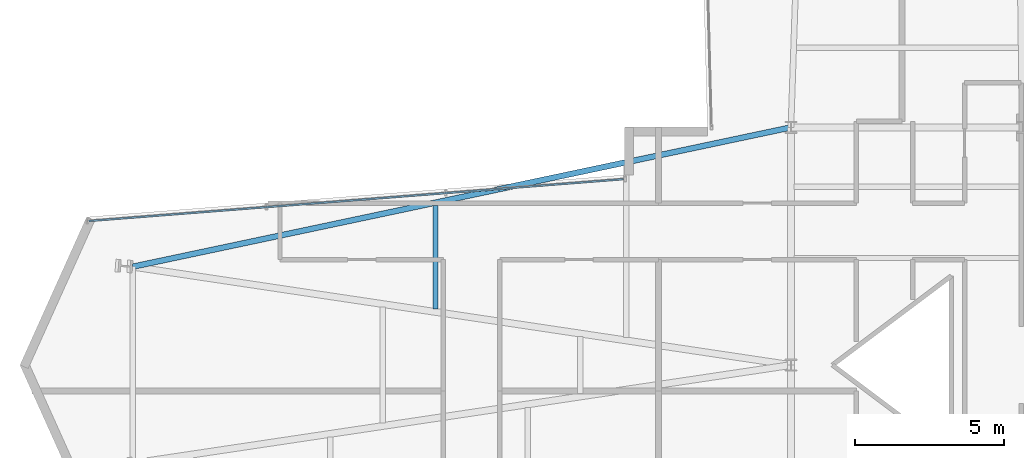
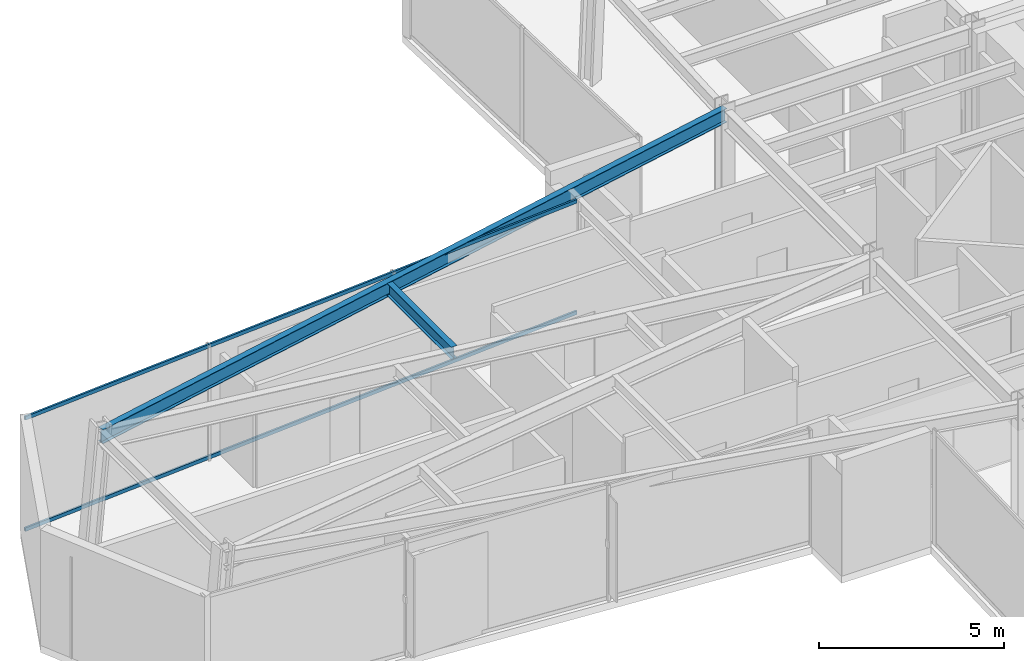
# One storey, part 10 of 31: 2 beams, 2 members, 1 element without a shape of its own.
"""IFC4 building model written with IfcOpenShell, lengths in metres."""

import ifcopenshell
import ifcopenshell.guid

model = None  # the IFC model being written
_history = None  # IfcOwnerHistory: only IFC2X3 demands one
_inside = {}  # id of a spatial element -> (the spatial element, [elements in it])
_under = {}  # id of a project, library or spatial element -> (it, [spatial elements below it])
_declared = {}  # id of a project -> (the project, [libraries it declares])
_typed = {}  # id of a type object -> (the type object, [elements of that type])
_made_of = {}  # id of a material, layer set ... -> (it, [elements and type objects made of it])


def new_model(schema):
    """Start an empty IFC model of exactly this schema.

    Asked for "IFC4X3", IfcOpenShell would pick the latest addendum, in which some entities
    have other attributes; the version numbers below select the first issue.
    IFC2X3 requires an IfcOwnerHistory on every rooted entity: one is made here for all.
    """
    global model, _history
    if schema == "IFC4X3":
        model = ifcopenshell.file(schema_version=(4, 3, 0, 0))
    else:
        model = ifcopenshell.file(schema=schema)
    _inside.clear()
    _under.clear()
    _declared.clear()
    _typed.clear()
    _made_of.clear()
    _history = None
    if model.schema == "IFC2X3":
        org = make("IfcOrganization", Name="unknown")
        user = make(
            "IfcPersonAndOrganization",
            ThePerson=make("IfcPerson", FamilyName="unknown"),
            TheOrganization=org,
        )
        app = make(
            "IfcApplication",
            ApplicationDeveloper=org,
            Version="unknown",
            ApplicationFullName="unknown",
            ApplicationIdentifier="unknown",
        )
        _history = make(
            "IfcOwnerHistory",
            OwningUser=user,
            OwningApplication=app,
            ChangeAction="ADDED",
            CreationDate=0,
        )
    return model


def make(cls, **values):
    """One entity of the class cls with the attributes given. An attribute that is None is left unset."""
    return model.create_entity(
        cls, **{name: value for name, value in values.items() if value is not None}
    )


def rooted(cls, **values):
    """An entity with a GlobalId (a new one), such as an element, a storey or a relation."""
    return make(cls, GlobalId=ifcopenshell.guid.new(), OwnerHistory=_history, **values)


def si_unit(unit_type, name, prefix=None):
    """IfcSIUnit, for example si_unit("LENGTHUNIT", "METRE", prefix="MILLI")."""
    return make("IfcSIUnit", UnitType=unit_type, Prefix=prefix, Name=name)


def assignment(units):
    """IfcUnitAssignment: the units of a project."""
    return None if units is None else make("IfcUnitAssignment", Units=units)


def point(xyz):
    """IfcCartesianPoint."""
    return None if xyz is None else make("IfcCartesianPoint", Coordinates=xyz)


def direction(xyz):
    """IfcDirection."""
    return None if xyz is None else make("IfcDirection", DirectionRatios=xyz)


def frame(location, z_axis=None, x_axis=None):
    """IfcAxis2Placement3D, a coordinate frame: its origin and axes. An axis left out is left unset."""
    return make(
        "IfcAxis2Placement3D",
        Location=point(location),
        Axis=direction(z_axis),
        RefDirection=direction(x_axis),
    )


def frame_2d(location, x_axis=None):
    """IfcAxis2Placement2D, a coordinate frame in the plane: its origin and x axis."""
    return make(
        "IfcAxis2Placement2D", Location=point(location), RefDirection=direction(x_axis)
    )


def origin():
    """The frame at (0, 0, 0) with its axes left unset."""
    return frame((0.0, 0.0, 0.0))


def origin_2d():
    """The frame at (0, 0) in the plane with its x axis left unset."""
    return frame_2d((0.0, 0.0))


def place(relative_to, where):
    """IfcLocalPlacement: puts the frame where relative to a parent placement (None: the world)."""
    return make(
        "IfcLocalPlacement", PlacementRelTo=relative_to, RelativePlacement=where
    )


def context(
    kind, dimensions, precision=None, world=None, true_north=None, identifier=None
):
    """IfcGeometricRepresentationContext, for example the 3D "Model" context."""
    return make(
        "IfcGeometricRepresentationContext",
        ContextIdentifier=identifier,
        ContextType=kind,
        CoordinateSpaceDimension=dimensions,
        Precision=precision,
        WorldCoordinateSystem=world,
        TrueNorth=true_north,
    )


def subcontext(parent, identifier, kind, view, scale=None):
    """IfcGeometricRepresentationSubContext, for example "Body" below "Model"."""
    return make(
        "IfcGeometricRepresentationSubContext",
        ContextIdentifier=identifier,
        ContextType=kind,
        ParentContext=parent,
        TargetScale=scale,
        TargetView=view,
    )


def project(units=None, contexts=None):
    """IfcProject with its units and contexts."""
    return rooted(
        "IfcProject",
        Name="project",
        RepresentationContexts=contexts,
        UnitsInContext=assignment(units),
    )


def spatial(cls, under=None, at=None, **own):
    """A site, building, storey or space (cls), placed at a placement, below another one or the project."""
    s = rooted(cls, ObjectPlacement=at, **own)
    if under is not None:
        _under.setdefault(under.id(), (under, []))[1].append(s)
    return s


def profile(cls, at=None, kind="AREA", **sizes):
    """A parametric profile (cls). Its sizes go by their IFC names, for example OverallWidth=200.0."""
    return make(cls, ProfileType=kind, Position=at, **sizes)


def hollow_rectangle(**sizes):
    """IfcRectangleHollowProfileDef."""
    return profile("IfcRectangleHollowProfileDef", **sizes)


def i_section(**sizes):
    """IfcIShapeProfileDef."""
    return profile("IfcIShapeProfileDef", **sizes)


def extrude(swept, where, along, depth):
    """IfcExtrudedAreaSolid: the profile swept, set in the frame where, extruded along a direction by depth."""
    return make(
        "IfcExtrudedAreaSolid",
        SweptArea=swept,
        Position=where,
        ExtrudedDirection=direction(along),
        Depth=depth,
    )


def shape(context_of_items, identifier, shape_type, items):
    """IfcShapeRepresentation: the items that make up one representation, for example the "Body"."""
    return make(
        "IfcShapeRepresentation",
        ContextOfItems=context_of_items,
        RepresentationIdentifier=identifier,
        RepresentationType=shape_type,
        Items=items,
    )


def material(Name=None, Category=None):
    """IfcMaterial."""
    return make("IfcMaterial", Name=Name, Category=Category)


def layer(
    of_material, thickness, ventilated=None, Name=None, Category=None, Priority=None
):
    """IfcMaterialLayer: one layer of a wall or slab, of a material (None: an air gap)."""
    return make(
        "IfcMaterialLayer",
        Material=of_material,
        LayerThickness=thickness,
        IsVentilated=ventilated,
        Name=Name,
        Category=Category,
        Priority=Priority,
    )


def layer_set(layers, Name=None):
    """IfcMaterialLayerSet."""
    return make("IfcMaterialLayerSet", MaterialLayers=layers, LayerSetName=Name)


def material_profile(
    of_material, cross_section, Name=None, Category=None, Priority=None
):
    """IfcMaterialProfile: a cross section and its material."""
    return make(
        "IfcMaterialProfile",
        Name=Name,
        Material=of_material,
        Profile=cross_section,
        Priority=Priority,
        Category=Category,
    )


def profile_set(profiles, Name=None, composite=None):
    """IfcMaterialProfileSet."""
    return make(
        "IfcMaterialProfileSet",
        Name=Name,
        MaterialProfiles=profiles,
        CompositeProfile=composite,
    )


def made_of(thing, what):
    """Note that an element or type object is made of a material, layer set ...; save() writes the relation."""
    if what is not None:
        _made_of.setdefault(what.id(), (what, []))[1].append(thing)
    return thing


def type_object(cls, material=None, **own):
    """A type object (cls), such as IfcWallType, which elements share."""
    return made_of(rooted(cls, **own), material)


def element(
    cls,
    number,
    at=None,
    inside=None,
    cuts=None,
    type_object=None,
    material=None,
    context=None,
    identifier="Body",
    shape_type=None,
    held_by="IfcProductDefinitionShape",
    body=None,
    shapes=None,
    **own,
):
    """One element of the class cls, such as IfcWall. Its Tag is "e" and its number.

    at: its placement. inside: the storey or other place that contains it. cuts: it is an
    opening in that element (IfcRelVoidsElement). A single representation is given by context,
    identifier, shape_type and body (its items); several are given by shapes. held_by: the class
    of the entity that holds the representations. save() writes the other relations.
    """
    e = rooted(cls, Tag="e%d" % number, ObjectPlacement=at, **own)
    if body is not None:
        shapes = [shape(context, identifier, shape_type, body)]
    if shapes is not None:
        e.Representation = make(held_by, Representations=shapes)
    if inside is not None:
        _inside.setdefault(inside.id(), (inside, []))[1].append(e)
    if cuts is not None:
        rooted(
            "IfcRelVoidsElement", RelatingBuildingElement=cuts, RelatedOpeningElement=e
        )
    if type_object is not None:
        _typed.setdefault(type_object.id(), (type_object, []))[1].append(e)
    return made_of(e, material)


def aggregate(whole, parts):
    """IfcRelAggregates: a whole, such as a stair, and the parts it consists of."""
    return rooted("IfcRelAggregates", RelatingObject=whole, RelatedObjects=parts)


def save(model, path):
    """Write the relations noted so far, then the file.

    IfcRelAggregates (storeys below a building ...), IfcRelContainedInSpatialStructure (elements
    in a storey), IfcRelDefinesByType, IfcRelAssociatesMaterial and IfcRelDeclares: one each for
    every whole, place, type object, material and project.
    """
    for whole, parts in _under.values():
        aggregate(whole, parts)
    for where, things in _inside.values():
        rooted(
            "IfcRelContainedInSpatialStructure",
            RelatedElements=things,
            RelatingStructure=where,
        )
    for kind, things in _typed.values():
        rooted("IfcRelDefinesByType", RelatedObjects=things, RelatingType=kind)
    for what, things in _made_of.values():
        rooted("IfcRelAssociatesMaterial", RelatedObjects=things, RelatingMaterial=what)
    for by, libraries in _declared.values():
        rooted("IfcRelDeclares", RelatingContext=by, RelatedDefinitions=libraries)
    model.write(path)


model = new_model("IFC4")

# Units and contexts
model_context = context("Model", 3, precision=1e-05, world=origin(), true_north=direction((0.0, 1.0)))
body_context = subcontext(model_context, "Body", "Model", "MODEL_VIEW")
ifc_project = project(units=[si_unit("LENGTHUNIT", "METRE"), si_unit("AREAUNIT", "SQUARE_METRE"), si_unit("VOLUMEUNIT", "CUBIC_METRE"), si_unit("PLANEANGLEUNIT", "RADIAN"), si_unit("MASSUNIT", "GRAM", prefix="KILO")], contexts=[model_context])

# Site, building, storey
site_placement = place(None, origin())
site = spatial("IfcSite", under=ifc_project, at=site_placement, CompositionType="ELEMENT")
building_placement = place(site_placement, origin())
building = spatial("IfcBuilding", under=site, at=building_placement, Name="Veymaron Broadcast Tower", CompositionType="ELEMENT")
storey_placement = place(building_placement, frame((0.0, 0.0, 70.199951171875)))
storey = spatial("IfcBuildingStorey", under=building, at=storey_placement, Name="L15", CompositionType="ELEMENT", Elevation=70.199951171875)

# Beams
ifc_material_1 = material(Name="Structural steel ASTM A992 Gr 50", Category="steel")
ifc_material_profile_1 = material_profile(ifc_material_1, i_section(OverallWidth=0.177978515625, OverallDepth=0.406982421875, WebThickness=0.0078125, FlangeThickness=0.0126953125, at=origin_2d()), Name="W410X60")
ifc_profile_set_1 = profile_set([ifc_material_profile_1], Name="Structural steel ASTM A992 Gr 50")
beam_type_1 = type_object("IfcBeamType", Name="BM-JS1", PredefinedType="JOIST", material=ifc_profile_set_1)
beam_1_placement = place(storey_placement, frame((19.234619140625, 25.887451171875, 3.6064453125), z_axis=(0.0, 1.0, 0.0), x_axis=(-1.0, 0.0, 0.0)))
element("IfcBeam", 1, at=beam_1_placement, inside=storey, type_object=beam_type_1, Name="L15 Arm-A secondary joist 1N", PredefinedType="JOIST", context=body_context, shape_type="SweptSolid", body=[
    extrude(i_section(OverallWidth=0.177978515625, OverallDepth=0.406982421875, WebThickness=0.0078125, FlangeThickness=0.0126953125, at=origin_2d()), origin(), (0.0, 0.0, 1.0), 3.47998046875),
])
ifc_material_profile_2 = material_profile(ifc_material_1, i_section(OverallWidth=0.19091796875, OverallDepth=0.4599609375, WebThickness=0.010009765625, FlangeThickness=0.01611328125, at=origin_2d()), Name="W460X82")
ifc_profile_set_2 = profile_set([ifc_material_profile_2], Name="Structural steel ASTM A992 Gr 50")
beam_type_2 = type_object("IfcBeamType", Name="BM-SP1", PredefinedType="SPANDREL", material=ifc_profile_set_2)
beam_2_placement = place(storey_placement, frame((9.0419921875, 27.31005859375, 3.580078125), z_axis=(0.978325730087, 0.207071885708, 0.0), x_axis=(-0.207071885708, 0.978325730087, 0.0)))
element("IfcBeam", 2, at=beam_2_placement, inside=storey, type_object=beam_type_2, Name="L15 primary structural floor girder", PredefinedType="SPANDREL", context=body_context, shape_type="SweptSolid", body=[
    extrude(i_section(OverallWidth=0.19091796875, OverallDepth=0.4599609375, WebThickness=0.010009765625, FlangeThickness=0.01611328125, at=origin_2d()), origin(), (0.0, 0.0, 1.0), 22.64892578125),
])

# Curtain wall, members
ifc_material_2 = material(Name="Anodised aluminium AA 6063-T6 and laminated low-E dark glass", Category="aluminium")
ifc_layer = layer(ifc_material_2, 0.179931640625)
ifc_layer_set = layer_set([ifc_layer], Name="Anodised aluminium AA 6063-T6 and laminated low-E dark glass")
curtain_wall_type = type_object("IfcCurtainWallType", Name="CW-SYS-02", PredefinedType="NOTDEFINED", material=ifc_layer_set)
curtain_wall_placement = place(storey_placement, origin())
curtain_wall = element("IfcCurtainWall", 3, at=curtain_wall_placement, inside=storey, type_object=curtain_wall_type, Name="L15 dark-glass curtain wall CW-L15-E11-1", PredefinedType="NOTDEFINED")
ifc_material_3 = material(Name="Anodised aluminium AA 6063-T6", Category="aluminium")
ifc_material_profile_3 = material_profile(ifc_material_3, hollow_rectangle(XDim=0.06005859375, YDim=0.1201171875, WallThickness=0.00390625, at=origin_2d()), Name="AL120X60X4")
ifc_profile_set_3 = profile_set([ifc_material_profile_3], Name="Anodised aluminium AA 6063-T6")
member_type = type_object("IfcMemberType", Name="CW-TRN-02", PredefinedType="USERDEFINED", material=ifc_profile_set_3)
member_1_placement = place(storey_placement, frame((25.569091796875, 30.2568359375, 0.070068359375), z_axis=(-0.996952327032, -0.078013188791, 0.0), x_axis=(0.078013188791, -0.996952327032, 0.0)))
member_1 = element("IfcMember", 4, at=member_1_placement, type_object=member_type, Name="CW-L15-E11-1 transom B", ObjectType="TRANSOM", PredefinedType="USERDEFINED", context=body_context, shape_type="SweptSolid", body=[
    extrude(hollow_rectangle(XDim=0.06005859375, YDim=0.1201171875, WallThickness=0.00390625, at=origin_2d()), origin(), (0.0, 0.0, 1.0), 18.063232421875),
])
member_2_placement = place(storey_placement, frame((25.569091796875, 30.2568359375, 3.739990234375), z_axis=(-0.996952327032, -0.078013188791, 0.0), x_axis=(0.078013188791, -0.996952327032, 0.0)))
member_2 = element("IfcMember", 5, at=member_2_placement, type_object=member_type, Name="CW-L15-E11-1 transom T", ObjectType="TRANSOM", PredefinedType="USERDEFINED", context=body_context, shape_type="SweptSolid", body=[
    extrude(hollow_rectangle(XDim=0.06005859375, YDim=0.1201171875, WallThickness=0.00390625, at=origin_2d()), origin(), (0.0, 0.0, 1.0), 18.063232421875),
])
aggregate(curtain_wall, [member_1, member_2])

save(model, "model.ifc")
